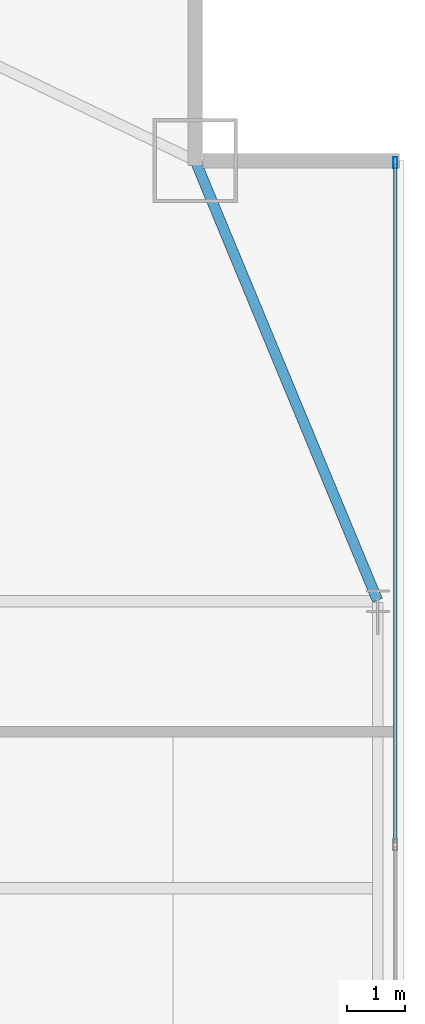
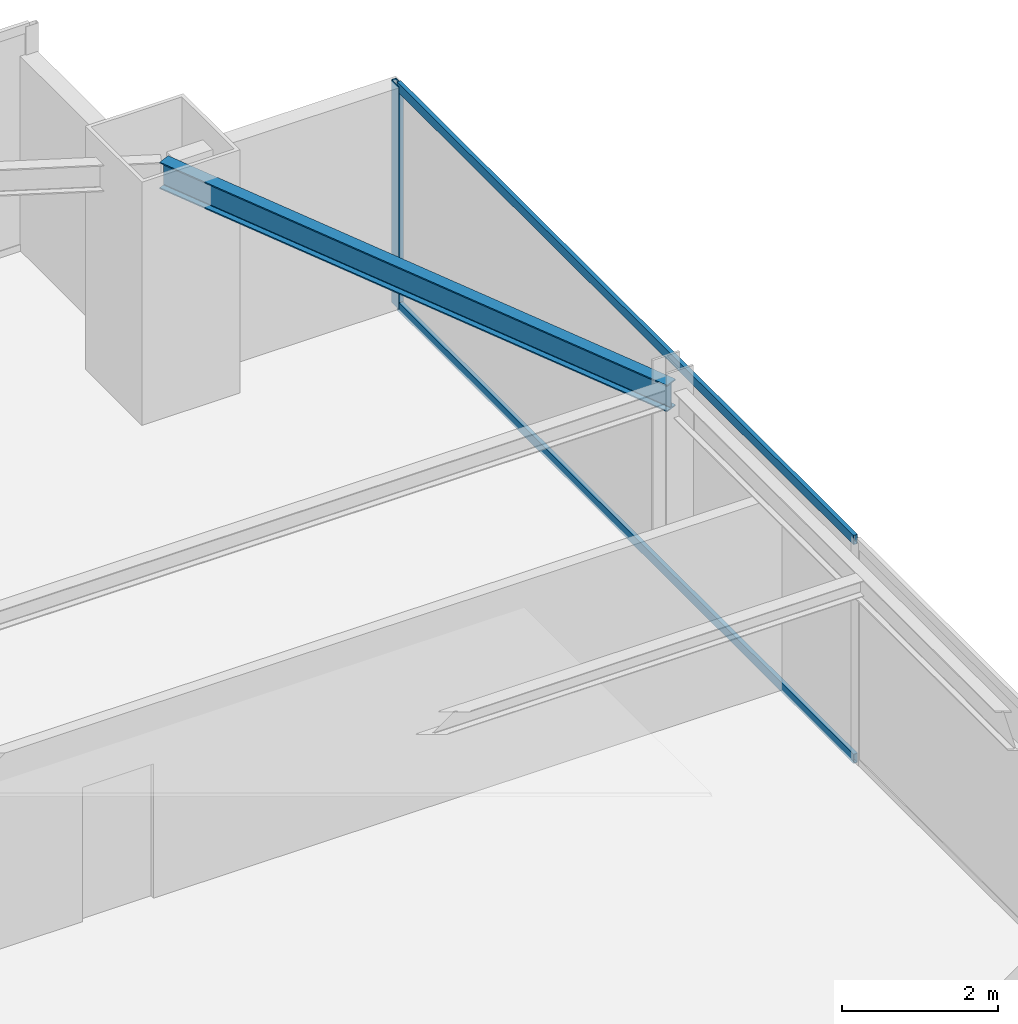
# One storey, part 24 of 33: 3 members, 1 beam, 1 element without a shape of its own.
"""IFC4 building model written with IfcOpenShell, lengths in metres."""

from ifc_helpers import new_model, si_unit, direction, frame, origin, origin_2d, place, context, subcontext, project, spatial, hollow_rectangle, i_section, extrude, source, transform, mapped, material, layer, layer_set, material_profile, profile_set, type_object, type_shapes, element, aggregate, save


model = new_model("IFC4")

# Units and contexts
model_context = context("Model", 3, precision=1e-05, world=origin(), true_north=direction((0.0, 1.0)))
body_context = subcontext(model_context, "Body", "Model", "MODEL_VIEW")
ifc_project = project(units=[si_unit("LENGTHUNIT", "METRE"), si_unit("AREAUNIT", "SQUARE_METRE"), si_unit("VOLUMEUNIT", "CUBIC_METRE"), si_unit("PLANEANGLEUNIT", "RADIAN"), si_unit("MASSUNIT", "GRAM", prefix="KILO")], contexts=[model_context])

# Site, building, storey
site_placement = place(None, origin())
site = spatial("IfcSite", under=ifc_project, at=site_placement, CompositionType="ELEMENT")
building_placement = place(site_placement, origin())
building = spatial("IfcBuilding", under=site, at=building_placement, Name="Varnel Quay Broadcast Tower", CompositionType="ELEMENT")
storey_placement = place(building_placement, frame((0.0, 0.0, 137.199951171875)))
storey = spatial("IfcBuildingStorey", under=building, at=storey_placement, Name="L33", CompositionType="ELEMENT", Elevation=137.199951171875)

# Beam
ifc_material_1 = material(Name="Structural Steel CSA G40.21 350W", Category="steel")
ifc_material_profile_1 = material_profile(ifc_material_1, i_section(OverallWidth=0.180908203125, OverallDepth=0.4169921875, WebThickness=0.010986328125, FlangeThickness=0.018310546875, FilletRadius=0.011962890625, at=origin_2d()), Name="W410X85")
ifc_profile_set_1 = profile_set([ifc_material_profile_1], Name="Structural Steel CSA G40.21 350W")
beam_type = type_object("IfcBeamType", Name="Beam_W410X85", PredefinedType="SPANDREL", material=ifc_profile_set_1)
shared_shape_1 = source(origin(), body_context, "Body", "SweptSolid", [
    extrude(i_section(OverallWidth=0.180908203125, OverallDepth=0.4169921875, WebThickness=0.010986328125, FlangeThickness=0.018310546875, FilletRadius=0.011962890625, at=origin_2d()), origin(), (0.0, 0.0, 1.0), 8.186767578125),
])
type_shapes(beam_type, [shared_shape_1])
beam_placement = place(storey_placement, frame((63.042236328125, 35.618408203125, 3.271484375), z_axis=(-0.382874132092, 0.923800519038, 0.0), x_axis=(-0.923800519038, -0.382874132092, 0.0)))
element("IfcBeam", 1, at=beam_placement, inside=storey, type_object=beam_type, Name="L33 East Spandrel TC-E3-MC-NE", PredefinedType="SPANDREL", context=body_context, shape_type="MappedRepresentation", body=[
    mapped(shared_shape_1, transform((0.0, 0.0, 0.0), x_axis=(1.0, 0.0, 0.0), y_axis=(0.0, 1.0, 0.0), z_axis=(0.0, 0.0, 1.0), scale=1.0)),
])

# Curtain wall, members
ifc_material_2 = material(Name="Anodised Bronze Aluminium 6063-T6", Category="aluminium")
ifc_layer = layer(ifc_material_2, 0.18994140625, Name="Anodised Bronze Aluminium 6063-T6")
ifc_layer_set = layer_set([ifc_layer], Name="Anodised Bronze Aluminium 6063-T6")
curtain_wall_type = type_object("IfcCurtainWallType", Name="CW_LowerTower", PredefinedType="NOTDEFINED", material=ifc_layer_set)
curtain_wall_placement = place(storey_placement, origin())
curtain_wall = element("IfcCurtainWall", 2, at=curtain_wall_placement, inside=storey, type_object=curtain_wall_type, Name="L33 East Unitised Curtain Wall", PredefinedType="NOTDEFINED")
ifc_material_profile_2 = material_profile(ifc_material_2, hollow_rectangle(XDim=0.06005859375, YDim=0.14501953125, WallThickness=0.00341796875, at=origin_2d()), Name="ALU60X145X3.5")
ifc_profile_set_2 = profile_set([ifc_material_profile_2], Name="Anodised Bronze Aluminium 6063-T6")
member_type_1 = type_object("IfcMemberType", Name="Tran_CWS-02", PredefinedType="USERDEFINED", material=ifc_profile_set_2)
shared_shape_2 = source(origin(), body_context, "Body", "SweptSolid", [
    extrude(hollow_rectangle(XDim=0.06005859375, YDim=0.14501953125, WallThickness=0.00341796875, at=origin_2d()), origin(), (0.0, 0.0, 1.0), 11.69482421875),
])
type_shapes(member_type_1, [shared_shape_2])
member_1_placement = place(storey_placement, frame((63.35009765625, 31.43505859375, 0.030029296875), z_axis=(0.0, 1.0, 0.0), x_axis=(-1.0, 0.0, 0.0)))
member_1 = element("IfcMember", 3, at=member_1_placement, type_object=member_type_1, Name="CWS-02 transom 3.1", ObjectType="TRANSOM", PredefinedType="USERDEFINED", context=body_context, shape_type="MappedRepresentation", body=[
    mapped(shared_shape_2, transform((0.0, 0.0, 0.0), x_axis=(1.0, 0.0, 0.0), y_axis=(0.0, 1.0, 0.0), z_axis=(0.0, 0.0, 1.0), scale=1.0)),
])
member_2_placement = place(storey_placement, frame((63.35009765625, 31.43505859375, 3.449951171875), z_axis=(0.0, 1.0, 0.0), x_axis=(-1.0, 0.0, 0.0)))
member_2 = element("IfcMember", 4, at=member_2_placement, type_object=member_type_1, Name="CWS-02 transom 3.2", ObjectType="TRANSOM", PredefinedType="USERDEFINED", context=body_context, shape_type="MappedRepresentation", body=[
    mapped(shared_shape_2, transform((0.0, 0.0, 0.0), x_axis=(1.0, 0.0, 0.0), y_axis=(0.0, 1.0, 0.0), z_axis=(0.0, 0.0, 1.0), scale=1.0)),
])
ifc_material_profile_3 = material_profile(ifc_material_2, hollow_rectangle(XDim=0.070068359375, YDim=0.18994140625, WallThickness=0.00390625, at=origin_2d()), Name="ALU70X190X4")
ifc_profile_set_3 = profile_set([ifc_material_profile_3], Name="Anodised Bronze Aluminium 6063-T6")
member_type_2 = type_object("IfcMemberType", Name="Mull_CWS-02", PredefinedType="MULLION", material=ifc_profile_set_3)
shared_shape_3 = source(origin(), body_context, "Body", "SweptSolid", [
    extrude(hollow_rectangle(XDim=0.070068359375, YDim=0.18994140625, WallThickness=0.00390625, at=origin_2d()), origin(), (0.0, 0.0, 1.0), 3.47998046875),
])
type_shapes(member_type_2, [shared_shape_3])
member_3_placement = place(storey_placement, frame((63.35009765625, 43.1650390625, 0.0), z_axis=(0.0, 0.0, 1.0), x_axis=(-1.0, 0.0, 0.0)))
member_3 = element("IfcMember", 5, at=member_3_placement, type_object=member_type_2, Name="CWS-02 mullion 4", PredefinedType="MULLION", context=body_context, shape_type="MappedRepresentation", body=[
    mapped(shared_shape_3, transform((0.0, 0.0, 0.0), x_axis=(1.0, 0.0, 0.0), y_axis=(0.0, 1.0, 0.0), z_axis=(0.0, 0.0, 1.0), scale=1.0)),
])
aggregate(curtain_wall, [member_3, member_1, member_2])

save(model, "model.ifc")
